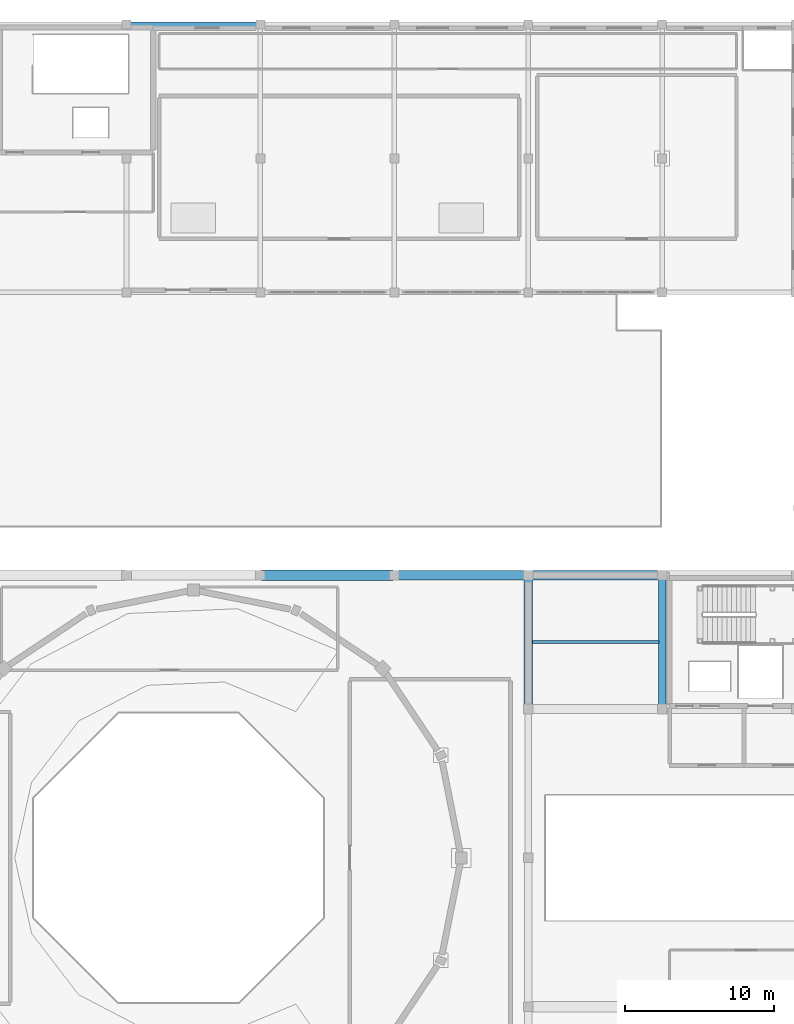
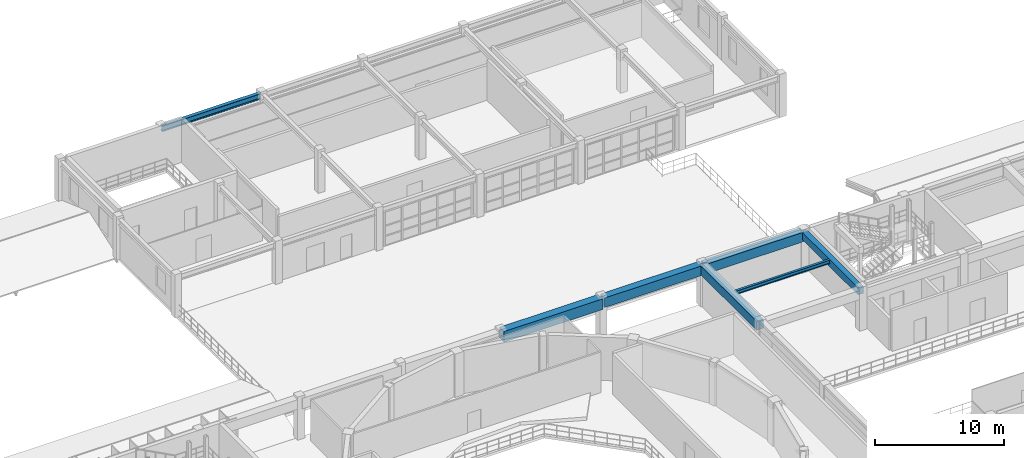
# One storey, part 50 of 80: 7 beams.
"""IFC4 building model written with IfcOpenShell, lengths in metres."""

from ifc_helpers import new_model, si_unit, direction, frame, origin, origin_2d, place, context, subcontext, project, spatial, rectangle, i_section, extrude, material, material_profile, profile_set, type_object, element, save


model = new_model("IFC4")

# Units and contexts
model_context = context("Model", 3, precision=1e-05, world=origin(), true_north=direction((0.0, 1.0)))
body_context = subcontext(model_context, "Body", "Model", "MODEL_VIEW")
ifc_project = project(units=[si_unit("LENGTHUNIT", "METRE"), si_unit("AREAUNIT", "SQUARE_METRE"), si_unit("VOLUMEUNIT", "CUBIC_METRE"), si_unit("PLANEANGLEUNIT", "RADIAN"), si_unit("MASSUNIT", "GRAM", prefix="KILO")], contexts=[model_context])

# Site, building, storey
site_placement = place(None, origin())
site = spatial("IfcSite", under=ifc_project, at=site_placement, CompositionType="ELEMENT")
building_placement = place(site_placement, origin())
building = spatial("IfcBuilding", under=site, at=building_placement, Name="Miravela Opera House", CompositionType="ELEMENT")
storey_placement = place(building_placement, frame((0.0, 0.0, 17.679931640625)))
storey = spatial("IfcBuildingStorey", under=building, at=storey_placement, Name="L04", CompositionType="ELEMENT", Elevation=17.679931640625)

# Beams
ifc_material_1 = material(Name="Concrete C35/45", Category="concrete")
ifc_material_profile_1 = material_profile(ifc_material_1, rectangle(XDim=0.47998046875, YDim=0.679931640625, at=origin_2d()), Name="RC-BM-480X680")
ifc_profile_set_1 = profile_set([ifc_material_profile_1])
beam_type_1 = type_object("IfcBeamType", Name="STR-BM-RC480X680", PredefinedType="BEAM", material=ifc_profile_set_1)
beam_1_placement = place(storey_placement, frame((108.0, 66.080078125, 3.5), z_axis=(0.0, 1.0, 0.0), x_axis=(-1.0, 0.0, 0.0)))
element("IfcBeam", 1, at=beam_1_placement, inside=storey, type_object=beam_type_1, Name="Floor Girder L04 13/H-I", PredefinedType="BEAM", context=body_context, shape_type="SweptSolid", body=[
    extrude(rectangle(XDim=0.47998046875, YDim=0.679931640625, at=origin_2d()), origin(), (0.0, 0.0, 1.0), 8.83984375),
])
ifc_material_2 = material(Name="Concrete C40/50", Category="concrete")
ifc_material_profile_2 = material_profile(ifc_material_2, rectangle(XDim=0.60009765625, YDim=0.85009765625, at=origin_2d()), Name="RC-BM-600X850")
ifc_profile_set_2 = profile_set([ifc_material_profile_2])
beam_type_2 = type_object("IfcBeamType", Name="STR-BM-RC600X850", PredefinedType="BEAM", material=ifc_profile_set_2)
beam_2_placement = place(storey_placement, frame((99.0, 66.080078125, 3.4150390625), z_axis=(0.0, 1.0, 0.0), x_axis=(-1.0, 0.0, 0.0)))
element("IfcBeam", 2, at=beam_2_placement, inside=storey, type_object=beam_type_2, Name="Floor Girder L04 12/H-I", PredefinedType="BEAM", context=body_context, shape_type="SweptSolid", body=[
    extrude(rectangle(XDim=0.60009765625, YDim=0.85009765625, at=origin_2d()), origin(), (0.0, 0.0, 1.0), 8.83984375),
])
ifc_material_profile_3 = material_profile(ifc_material_2, rectangle(XDim=0.64990234375, YDim=0.89990234375, at=origin_2d()), Name="RC-BM-650X900")
ifc_profile_set_3 = profile_set([ifc_material_profile_3])
beam_type_3 = type_object("IfcBeamType", Name="STR-BM-RC650X900", PredefinedType="BEAM", material=ifc_profile_set_3)
for number, where, z_axis, x_axis, name in (
    (3, (90.080078125, 75.0, 3.39013671875), (1.0, 0.0, 0.0), (0.0, 1.0, 0.0), "Floor Girder L04 11-12/I"),
    (4, (99.080078125, 75.0, 3.39013671875), (1.0, 0.0, 0.0), (0.0, 1.0, 0.0), "Floor Girder L04 12-13/I"),
):
    element("IfcBeam", number, at=place(storey_placement, frame(where, z_axis=z_axis, x_axis=x_axis)), inside=storey, type_object=beam_type_3, Name=name, PredefinedType="BEAM", context=body_context, shape_type="SweptSolid", body=[
        extrude(rectangle(XDim=0.64990234375, YDim=0.89990234375, at=origin_2d()), origin(), (0.0, 0.0, 1.0), 8.83984375),
    ])
ifc_material_profile_4 = material_profile(ifc_material_2, rectangle(XDim=0.699951171875, YDim=1.0, at=origin_2d()), Name="RC-BM-700X1000")
ifc_profile_set_4 = profile_set([ifc_material_profile_4])
beam_type_4 = type_object("IfcBeamType", Name="STR-BM-RC700X1000", PredefinedType="BEAM", material=ifc_profile_set_4)
beam_3_placement = place(storey_placement, frame((81.080078125, 75.0, 3.340087890625), z_axis=(1.0, 0.0, 0.0), x_axis=(0.0, 1.0, 0.0)))
element("IfcBeam", 5, at=beam_3_placement, inside=storey, type_object=beam_type_4, Name="Floor Girder L04 10-11/I", PredefinedType="BEAM", context=body_context, shape_type="SweptSolid", body=[
    extrude(rectangle(XDim=0.699951171875, YDim=1.0, at=origin_2d()), origin(), (0.0, 0.0, 1.0), 8.83984375),
])
ifc_material_3 = material(Name="Structural steel ASTM A992 Gr. 50", Category="steel")
ifc_material_profile_5 = material_profile(ifc_material_3, i_section(OverallWidth=0.2041015625, OverallDepth=0.35009765625, WebThickness=0.008544921875, FlangeThickness=0.01513671875, FilletRadius=0.013916015625, at=origin_2d()), Name="W360X72")
ifc_profile_set_5 = profile_set([ifc_material_profile_5])
beam_type_5 = type_object("IfcBeamType", Name="STR-BM-W360X72", PredefinedType="JOIST", material=ifc_profile_set_5)
beam_4_placement = place(storey_placement, frame((99.284912109375, 70.5, 3.6650390625), z_axis=(1.0, 0.0, 0.0), x_axis=(0.0, 1.0, 0.0)))
element("IfcBeam", 6, at=beam_4_placement, inside=storey, type_object=beam_type_5, Name="Secondary Floor Joist L04 12-13/H-I", PredefinedType="JOIST", context=body_context, shape_type="SweptSolid", body=[
    extrude(i_section(OverallWidth=0.2041015625, OverallDepth=0.35009765625, WebThickness=0.008544921875, FlangeThickness=0.01513671875, FilletRadius=0.013916015625, at=origin_2d()), origin(), (0.0, 0.0, 1.0), 8.489990234375),
])
ifc_material_profile_6 = material_profile(ifc_material_3, i_section(OverallWidth=0.31201171875, OverallDepth=0.54296875, WebThickness=0.0126953125, FlangeThickness=0.020263671875, FilletRadius=0.01611328125, at=origin_2d()), Name="W530X150")
ifc_profile_set_6 = profile_set([ifc_material_profile_6])
beam_type_6 = type_object("IfcBeamType", Name="STR-BM-W530X150", PredefinedType="BEAM", material=ifc_profile_set_6)
beam_5_placement = place(storey_placement, frame((72.080078125, 112.0, 3.568603515625), z_axis=(1.0, 0.0, 0.0), x_axis=(0.0, 1.0, 0.0)))
element("IfcBeam", 7, at=beam_5_placement, inside=storey, type_object=beam_type_6, Name="Roof Eave Girder ROOF-V3-TOP N2", PredefinedType="BEAM", context=body_context, shape_type="SweptSolid", body=[
    extrude(i_section(OverallWidth=0.31201171875, OverallDepth=0.54296875, WebThickness=0.0126953125, FlangeThickness=0.020263671875, FilletRadius=0.01611328125, at=origin_2d()), origin(), (0.0, 0.0, 1.0), 8.83984375),
])

save(model, "model.ifc")
